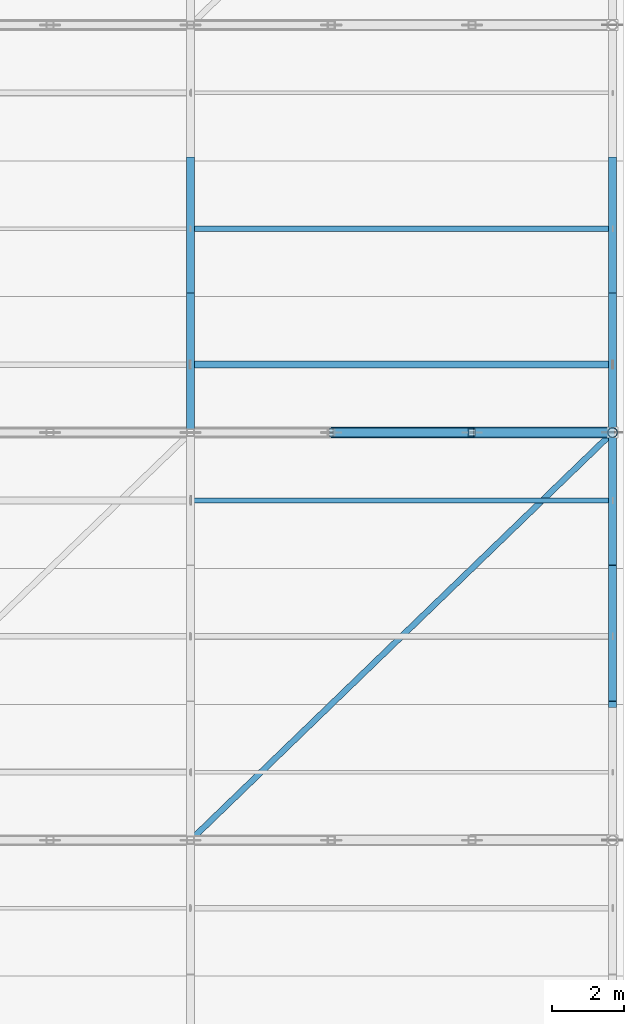
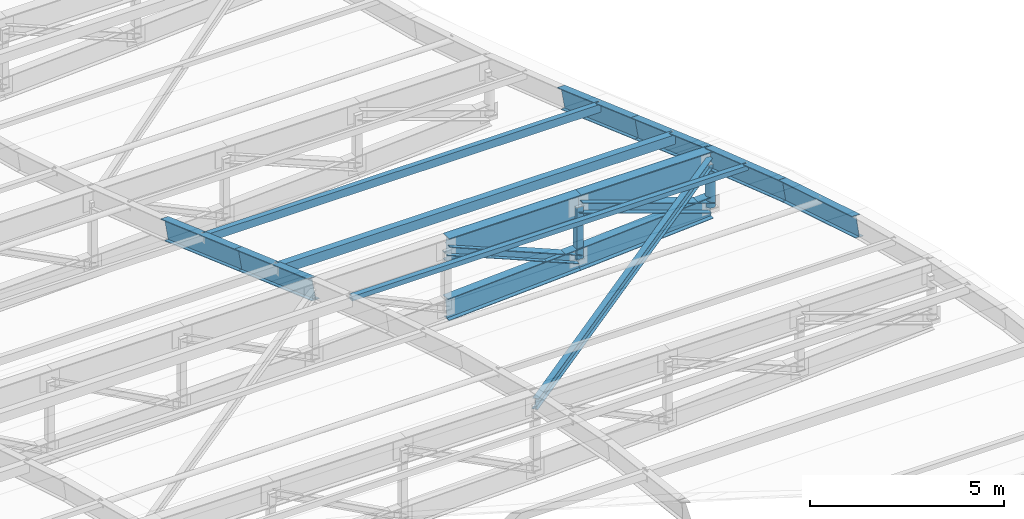
# One storey, part 12 of 65: 14 members, 4 beams.
"""IFC4 building model written with IfcOpenShell, lengths in metres."""

from ifc_helpers import new_model, si_unit, direction, frame, origin, origin_2d, place, context, subcontext, project, spatial, hollow_rectangle, hollow_circle, i_section, extrude, material, material_profile, profile_set, type_object, element, save


model = new_model("IFC4")

# Units and contexts
model_context = context("Model", 3, precision=1e-05, world=origin(), true_north=direction((0.0, 1.0)))
body_context = subcontext(model_context, "Body", "Model", "MODEL_VIEW")
ifc_project = project(units=[si_unit("LENGTHUNIT", "METRE"), si_unit("AREAUNIT", "SQUARE_METRE"), si_unit("VOLUMEUNIT", "CUBIC_METRE"), si_unit("PLANEANGLEUNIT", "RADIAN"), si_unit("MASSUNIT", "GRAM", prefix="KILO"), si_unit("POWERUNIT", "WATT"), si_unit("THERMODYNAMICTEMPERATUREUNIT", "KELVIN")], contexts=[model_context])

# Site, building, storey
site_placement = place(None, origin())
site = spatial("IfcSite", under=ifc_project, at=site_placement, CompositionType="ELEMENT")
building_placement = place(site_placement, origin())
building = spatial("IfcBuilding", under=site, at=building_placement, Name="Kelmbourne Parkland Aquatics Centre", CompositionType="ELEMENT")
storey_placement = place(building_placement, frame((0.0, 0.0, 27.0)))
storey = spatial("IfcBuildingStorey", under=building, at=storey_placement, Name="RF", CompositionType="ELEMENT", Elevation=27.0)

# Members
ifc_material_1 = material(Name="Structural steel AS/NZS 3679.1 Grade 300", Category="steel")
ifc_material_profile_1 = material_profile(ifc_material_1, i_section(OverallWidth=0.166015625, OverallDepth=0.306884765625, WebThickness=0.006591796875, FlangeThickness=0.01171875, at=origin_2d()), Name="310UB46.2")
ifc_profile_set_1 = profile_set([ifc_material_profile_1], Name="Structural steel AS/NZS 3679.1 Grade 300")
member_type_1 = type_object("IfcMemberType", Name="MB-BR-I", PredefinedType="BRACE", material=ifc_profile_set_1)
member_1_placement = place(storey_placement, frame((163.406982421875, 12.206787109375, -2.15283203125), z_axis=(0.704133319578, 0.680256729882, -0.203585485017), x_axis=(-0.694807972231, 0.719195301517, 0.0)))
element("IfcMember", 1, at=member_1_placement, inside=storey, type_object=member_type_1, Name="Roof wind diagonal brace B2-912", PredefinedType="BRACE", context=body_context, shape_type="SweptSolid", body=[
    extrude(i_section(OverallWidth=0.166015625, OverallDepth=0.306884765625, WebThickness=0.006591796875, FlangeThickness=0.01171875, at=origin_2d()), origin(), (0.0, 0.0, 1.0), 16.738525390625),
])
ifc_material_profile_2 = material_profile(ifc_material_1, i_section(OverallWidth=0.306884765625, OverallDepth=0.31494140625, WebThickness=0.011962890625, FlangeThickness=0.018798828125, at=origin_2d()), Name="310UC118")
ifc_profile_set_2 = profile_set([ifc_material_profile_2], Name="Structural steel AS/NZS 3679.1 Grade 300")
member_type_2 = type_object("IfcMemberType", Name="MB-DIAG1", PredefinedType="STRUT", material=ifc_profile_set_2)
member_2_placement = place(storey_placement, frame((171.2666015625, 23.60009765625, -5.5625), z_axis=(0.94359966112, 0.0, -0.331088627913), x_axis=(0.0, 1.0, 0.0)))
element("IfcMember", 2, at=member_2_placement, inside=storey, type_object=member_type_2, Name="Roof truss R02 web diagonal 12", PredefinedType="STRUT", context=body_context, shape_type="SweptSolid", body=[
    extrude(i_section(OverallWidth=0.306884765625, OverallDepth=0.31494140625, WebThickness=0.011962890625, FlangeThickness=0.018798828125, at=origin_2d()), origin(), (0.0, 0.0, 1.0), 4.16845703125),
])
ifc_material_profile_3 = material_profile(ifc_material_1, i_section(OverallWidth=0.256103515625, OverallDepth=0.260009765625, WebThickness=0.010498046875, FlangeThickness=0.017333984375, at=origin_2d()), Name="250UC89.5")
ifc_profile_set_3 = profile_set([ifc_material_profile_3], Name="Structural steel AS/NZS 3679.1 Grade 300")
member_type_3 = type_object("IfcMemberType", Name="MB-DIAG2", PredefinedType="STRUT", material=ifc_profile_set_3)
member_3_placement = place(storey_placement, frame((167.333251953125, 23.60009765625, -5.5625), z_axis=(0.922993848486, 0.0, -0.384814703015), x_axis=(0.0, 1.0, 0.0)))
element("IfcMember", 3, at=member_3_placement, inside=storey, type_object=member_type_3, Name="Roof truss R02 web diagonal 11", PredefinedType="STRUT", context=body_context, shape_type="SweptSolid", body=[
    extrude(i_section(OverallWidth=0.256103515625, OverallDepth=0.260009765625, WebThickness=0.010498046875, FlangeThickness=0.017333984375, at=origin_2d()), origin(), (0.0, 0.0, 1.0), 4.261474609375),
])
ifc_material_profile_4 = material_profile(ifc_material_1, i_section(OverallWidth=0.22900390625, OverallDepth=0.612060546875, WebThickness=0.011962890625, FlangeThickness=0.01953125, at=origin_2d()), Name="610UB125")
ifc_profile_set_4 = profile_set([ifc_material_profile_4], Name="Structural steel AS/NZS 3679.1 Grade 300")
member_type_4 = type_object("IfcMemberType", Name="MB-LRIB", PredefinedType="STRUT", material=ifc_profile_set_4)
member_4_placement = place(storey_placement, frame((163.39990234375, 23.60009765625, -5.442626953125), z_axis=(0.0, 0.941714530219, -0.336413055), x_axis=(-1.0, 0.0, 0.0)))
element("IfcMember", 4, at=member_4_placement, inside=storey, type_object=member_type_4, Name="Longitudinal wave rib K9 strip 07", PredefinedType="STRUT", context=body_context, shape_type="SweptSolid", body=[
    extrude(i_section(OverallWidth=0.22900390625, OverallDepth=0.612060546875, WebThickness=0.011962890625, FlangeThickness=0.01953125, at=origin_2d()), origin(), (0.0, 0.0, 1.0), 4.034912109375),
])
member_5_placement = place(storey_placement, frame((163.39990234375, 27.39990234375, -6.800048828125), z_axis=(0.0, 0.941721377318, -0.336393887433), x_axis=(-1.0, 0.0, 0.0)))
element("IfcMember", 5, at=member_5_placement, inside=storey, type_object=member_type_4, Name="Longitudinal wave rib K9 strip 08", PredefinedType="STRUT", context=body_context, shape_type="SweptSolid", body=[
    extrude(i_section(OverallWidth=0.22900390625, OverallDepth=0.612060546875, WebThickness=0.011962890625, FlangeThickness=0.01953125, at=origin_2d()), origin(), (0.0, 0.0, 1.0), 4.03515625),
])
member_6_placement = place(storey_placement, frame((175.199951171875, 16.0, -2.99658203125), z_axis=(0.0, 0.956659736605, -0.291208084294), x_axis=(-1.0, 0.0, 0.0)))
element("IfcMember", 6, at=member_6_placement, inside=storey, type_object=member_type_4, Name="Longitudinal wave rib K12 strip 05", PredefinedType="STRUT", context=body_context, shape_type="SweptSolid", body=[
    extrude(i_section(OverallWidth=0.22900390625, OverallDepth=0.612060546875, WebThickness=0.011962890625, FlangeThickness=0.01953125, at=origin_2d()), origin(), (0.0, 0.0, 1.0), 3.97216796875),
])
member_7_placement = place(storey_placement, frame((175.199951171875, 19.800048828125, -4.1533203125), z_axis=(0.0, 0.946978369756, -0.321297319029), x_axis=(-1.0, 0.0, 0.0)))
element("IfcMember", 7, at=member_7_placement, inside=storey, type_object=member_type_4, Name="Longitudinal wave rib K12 strip 06", PredefinedType="STRUT", context=body_context, shape_type="SweptSolid", body=[
    extrude(i_section(OverallWidth=0.22900390625, OverallDepth=0.612060546875, WebThickness=0.011962890625, FlangeThickness=0.01953125, at=origin_2d()), origin(), (0.0, 0.0, 1.0), 4.0126953125),
])
member_8_placement = place(storey_placement, frame((175.199951171875, 23.60009765625, -5.442626953125), z_axis=(0.0, 0.941714530219, -0.336413055), x_axis=(-1.0, 0.0, 0.0)))
element("IfcMember", 8, at=member_8_placement, inside=storey, type_object=member_type_4, Name="Longitudinal wave rib K12 strip 07", PredefinedType="STRUT", context=body_context, shape_type="SweptSolid", body=[
    extrude(i_section(OverallWidth=0.22900390625, OverallDepth=0.612060546875, WebThickness=0.011962890625, FlangeThickness=0.01953125, at=origin_2d()), origin(), (0.0, 0.0, 1.0), 4.034912109375),
])
member_9_placement = place(storey_placement, frame((175.199951171875, 27.39990234375, -6.800048828125), z_axis=(0.0, 0.941721377318, -0.336393887433), x_axis=(-1.0, 0.0, 0.0)))
element("IfcMember", 9, at=member_9_placement, inside=storey, type_object=member_type_4, Name="Longitudinal wave rib K12 strip 08", PredefinedType="STRUT", context=body_context, shape_type="SweptSolid", body=[
    extrude(i_section(OverallWidth=0.22900390625, OverallDepth=0.612060546875, WebThickness=0.011962890625, FlangeThickness=0.01953125, at=origin_2d()), origin(), (0.0, 0.0, 1.0), 4.03515625),
])
ifc_material_2 = material(Name="Cold-formed hollow steel AS/NZS 1163 C350L0", Category="steel")
ifc_material_profile_5 = material_profile(ifc_material_2, hollow_rectangle(XDim=0.199951171875, YDim=0.199951171875, WallThickness=0.010009765625, at=origin_2d()), Name="SHS 200x200x10.0")
ifc_profile_set_5 = profile_set([ifc_material_profile_5], Name="Cold-formed hollow steel AS/NZS 1163 C350L0")
member_type_5 = type_object("IfcMemberType", Name="MB-POST1", PredefinedType="STRUT", material=ifc_profile_set_5)
member_10_placement = place(storey_placement, frame((171.2666015625, 23.60009765625, -7.202392578125), z_axis=(0.0, 0.0, 1.0), x_axis=(1.0, 0.0, 0.0)))
element("IfcMember", 10, at=member_10_placement, inside=storey, type_object=member_type_5, Name="Roof truss R02 vertical post 11", PredefinedType="STRUT", context=body_context, shape_type="SweptSolid", body=[
    extrude(hollow_rectangle(XDim=0.199951171875, YDim=0.199951171875, WallThickness=0.010009765625, at=origin_2d()), origin(), (0.0, 0.0, 1.0), 1.639892578125),
])
ifc_material_profile_6 = material_profile(ifc_material_2, hollow_circle(Radius=0.136474609375, WallThickness=0.00927734375, at=origin_2d()), Name="CHS 273.1x9.3")
ifc_profile_set_6 = profile_set([ifc_material_profile_6], Name="Cold-formed hollow steel AS/NZS 1163 C350L0")
member_type_6 = type_object("IfcMemberType", Name="MB-POST2", PredefinedType="STRUT", material=ifc_profile_set_6)
member_11_placement = place(storey_placement, frame((175.199951171875, 23.60009765625, -6.942626953125), z_axis=(0.0, 0.0, 1.0), x_axis=(1.0, 0.0, 0.0)))
element("IfcMember", 11, at=member_11_placement, inside=storey, type_object=member_type_6, Name="Roof truss R02 vertical post 12", PredefinedType="STRUT", context=body_context, shape_type="SweptSolid", body=[
    extrude(hollow_circle(Radius=0.136474609375, WallThickness=0.00927734375, at=origin_2d()), origin(), (0.0, 0.0, 1.0), 1.380126953125),
])
ifc_material_profile_7 = material_profile(ifc_material_2, hollow_rectangle(XDim=0.14990234375, YDim=0.25, WallThickness=0.009033203125, at=origin_2d()), Name="RHS 250x150x9.0")
ifc_profile_set_7 = profile_set([ifc_material_profile_7], Name="Cold-formed hollow steel AS/NZS 1163 C350L0")
member_type_7 = type_object("IfcMemberType", Name="MB-PUR2", PredefinedType="PURLIN", material=ifc_profile_set_7)
member_12_placement = place(storey_placement, frame((163.39990234375, 29.300048828125, -7.293701171875), z_axis=(1.0, 0.0, 0.0), x_axis=(0.0, 1.0, 0.0)))
element("IfcMember", 12, at=member_12_placement, inside=storey, type_object=member_type_7, Name="Wave roof purlin S08-G4", PredefinedType="PURLIN", context=body_context, shape_type="SweptSolid", body=[
    extrude(hollow_rectangle(XDim=0.14990234375, YDim=0.25, WallThickness=0.009033203125, at=origin_2d()), origin(), (0.0, 0.0, 1.0), 11.800048828125),
])
ifc_material_profile_8 = material_profile(ifc_material_2, hollow_rectangle(XDim=0.199951171875, YDim=0.300048828125, WallThickness=0.010009765625, at=origin_2d()), Name="RHS 300x200x10.0")
ifc_profile_set_8 = profile_set([ifc_material_profile_8], Name="Cold-formed hollow steel AS/NZS 1163 C350L0")
member_type_8 = type_object("IfcMemberType", Name="MB-PUR3", PredefinedType="PURLIN", material=ifc_profile_set_8)
member_13_placement = place(storey_placement, frame((163.39990234375, 25.5, -5.961181640625), z_axis=(1.0, 0.0, 0.0), x_axis=(0.0, 1.0, 0.0)))
element("IfcMember", 13, at=member_13_placement, inside=storey, type_object=member_type_8, Name="Wave roof purlin S07-G4", PredefinedType="PURLIN", context=body_context, shape_type="SweptSolid", body=[
    extrude(hollow_rectangle(XDim=0.199951171875, YDim=0.300048828125, WallThickness=0.010009765625, at=origin_2d()), origin(), (0.0, 0.0, 1.0), 11.800048828125),
])
ifc_material_profile_9 = material_profile(ifc_material_2, hollow_rectangle(XDim=0.14990234375, YDim=0.14990234375, WallThickness=0.009033203125, at=origin_2d()), Name="SHS 150x150x9.0")
ifc_profile_set_9 = profile_set([ifc_material_profile_9], Name="Cold-formed hollow steel AS/NZS 1163 C350L0")
member_type_9 = type_object("IfcMemberType", Name="MB-PUR4", PredefinedType="PURLIN", material=ifc_profile_set_9)
member_14_placement = place(storey_placement, frame((163.39990234375, 21.699951171875, -4.56298828125), z_axis=(1.0, 0.0, 0.0), x_axis=(0.0, 1.0, 0.0)))
element("IfcMember", 14, at=member_14_placement, inside=storey, type_object=member_type_9, Name="Wave roof purlin S06-G4", PredefinedType="PURLIN", context=body_context, shape_type="SweptSolid", body=[
    extrude(hollow_rectangle(XDim=0.14990234375, YDim=0.14990234375, WallThickness=0.009033203125, at=origin_2d()), origin(), (0.0, 0.0, 1.0), 11.800048828125),
])

# Beams
ifc_material_3 = material(Name="Welded plate steel AS/NZS 3678 Grade 350", Category="steel")
ifc_material_profile_10 = material_profile(ifc_material_3, i_section(OverallWidth=0.25, OverallDepth=0.699951171875, WebThickness=0.010009765625, FlangeThickness=0.02001953125, at=origin_2d()), Name="700WB130")
ifc_profile_set_10 = profile_set([ifc_material_profile_10], Name="Welded plate steel AS/NZS 3678 Grade 350")
beam_type_1 = type_object("IfcBeamType", Name="TR-BC2", PredefinedType="BEAM", material=ifc_profile_set_10)
beam_1_placement = place(storey_placement, frame((167.333251953125, 23.60009765625, -7.414794921875), z_axis=(0.998545160894, 0.0, 0.053921810563), x_axis=(0.0, 1.0, 0.0)))
element("IfcBeam", 15, at=beam_1_placement, inside=storey, type_object=beam_type_1, Name="Roof truss R02 bottom chord 11", PredefinedType="BEAM", context=body_context, shape_type="SweptSolid", body=[
    extrude(i_section(OverallWidth=0.25, OverallDepth=0.699951171875, WebThickness=0.010009765625, FlangeThickness=0.02001953125, at=origin_2d()), origin(), (0.0, 0.0, 1.0), 3.93896484375),
])
beam_2_placement = place(storey_placement, frame((171.2666015625, 23.60009765625, -7.202392578125), z_axis=(0.997826345785, 0.0, 0.065898282659), x_axis=(0.0, 1.0, 0.0)))
element("IfcBeam", 16, at=beam_2_placement, inside=storey, type_object=beam_type_1, Name="Roof truss R02 bottom chord 12", PredefinedType="BEAM", context=body_context, shape_type="SweptSolid", body=[
    extrude(i_section(OverallWidth=0.25, OverallDepth=0.699951171875, WebThickness=0.010009765625, FlangeThickness=0.02001953125, at=origin_2d()), origin(), (0.0, 0.0, 1.0), 3.94189453125),
])
ifc_material_profile_11 = material_profile(ifc_material_3, i_section(OverallWidth=0.300048828125, OverallDepth=0.81591796875, WebThickness=0.011962890625, FlangeThickness=0.028076171875, at=origin_2d()), Name="800WB192")
ifc_profile_set_11 = profile_set([ifc_material_profile_11], Name="Welded plate steel AS/NZS 3678 Grade 350")
beam_type_2 = type_object("IfcBeamType", Name="TR-TC2", PredefinedType="BEAM", material=ifc_profile_set_11)
for number, where, z_axis, x_axis, name in (
    (17, (167.333251953125, 23.60009765625, -5.5625), (1.0, 0.0, 0.0), (0.0, 1.0, 0.0), "Roof truss R02 top chord 11"),
    (18, (171.2666015625, 23.60009765625, -5.5625), (1.0, 0.0, 0.0), (0.0, 1.0, 0.0), "Roof truss R02 top chord 12"),
):
    element("IfcBeam", number, at=place(storey_placement, frame(where, z_axis=z_axis, x_axis=x_axis)), inside=storey, type_object=beam_type_2, Name=name, PredefinedType="BEAM", context=body_context, shape_type="SweptSolid", body=[
        extrude(i_section(OverallWidth=0.300048828125, OverallDepth=0.81591796875, WebThickness=0.011962890625, FlangeThickness=0.028076171875, at=origin_2d()), origin(), (0.0, 0.0, 1.0), 3.933349609375),
    ])

save(model, "model.ifc")
